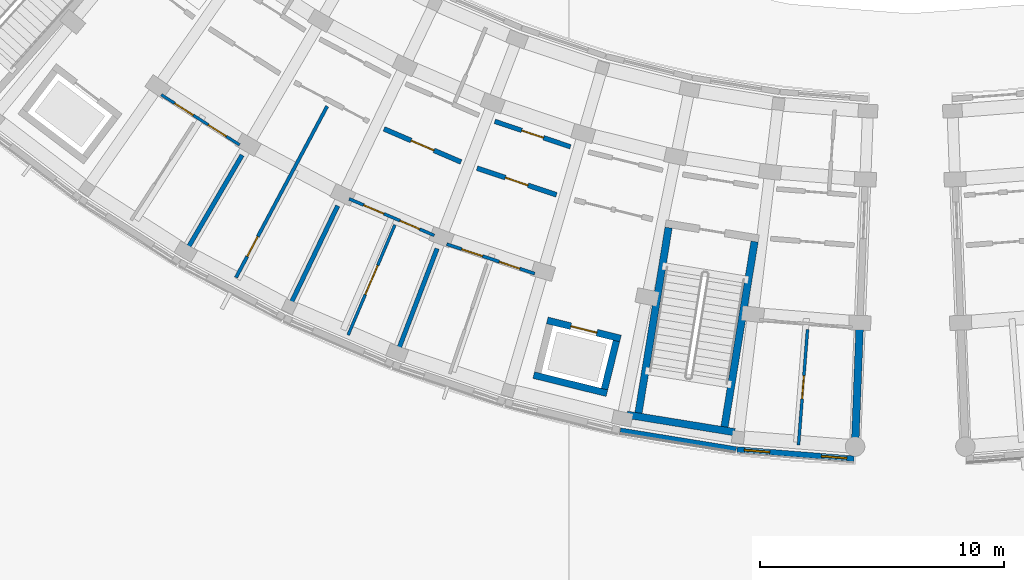
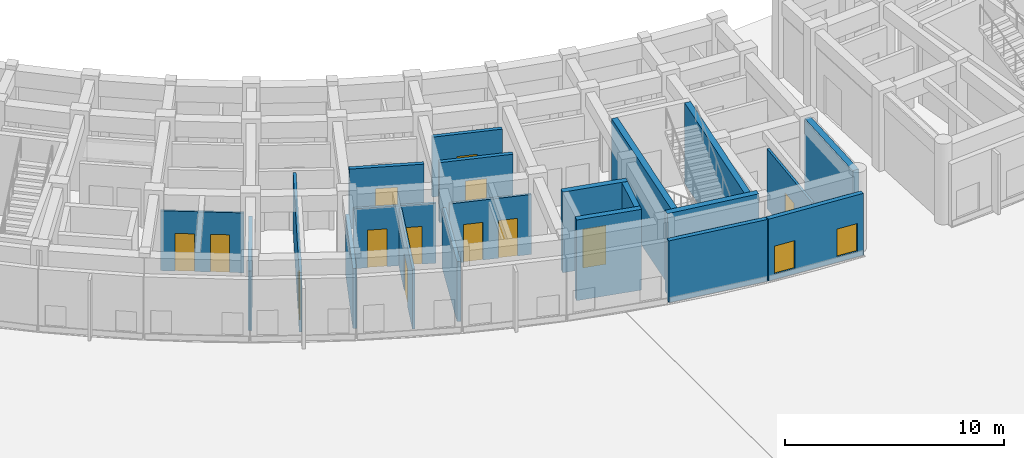
# One storey, part 29 of 61: 21 walls, 13 doors, 2 windows, 15 openings.
"""IFC4 building model written with IfcOpenShell, lengths in metres."""

from ifc_helpers import new_model, si_unit, direction, frame, frame_2d, origin, place, context, subcontext, project, spatial, rectangle, extrude, material, layer, layer_set, type_object, element, fill, save


model = new_model("IFC4")

# Units and contexts
model_context = context("Model", 3, precision=1e-05, world=origin(), true_north=direction((0.0, 1.0)))
body_context = subcontext(model_context, "Body", "Model", "MODEL_VIEW")
ifc_project = project(units=[si_unit("LENGTHUNIT", "METRE"), si_unit("AREAUNIT", "SQUARE_METRE"), si_unit("VOLUMEUNIT", "CUBIC_METRE"), si_unit("PLANEANGLEUNIT", "RADIAN"), si_unit("MASSUNIT", "GRAM", prefix="KILO")], contexts=[model_context])

# Site, building, storey
site_placement = place(None, origin())
site = spatial("IfcSite", under=ifc_project, at=site_placement, CompositionType="ELEMENT")
building_placement = place(site_placement, origin())
building = spatial("IfcBuilding", under=site, at=building_placement, Name="Zimvara Arc Housing Community", CompositionType="ELEMENT")
storey_placement = place(building_placement, origin())
storey = spatial("IfcBuildingStorey", under=building, at=storey_placement, Name="L00", CompositionType="ELEMENT", Elevation=0.0)

# Wall
ifc_material_1 = material(Name="Board-Marked Fair-Faced Concrete C35/45", Category="concrete")
ifc_layer_1 = layer(ifc_material_1, 0.219970703125)
ifc_layer_set_1 = layer_set([ifc_layer_1], Name="Board-Marked Fair-Faced Concrete C35/45")
wall_type_1 = type_object("IfcWallType", Name="EWL-CONC-220", PredefinedType="SOLIDWALL", material=ifc_layer_set_1)
wall_1_placement = place(storey_placement, frame((114.100341796875, 51.681396484375, 0.0), z_axis=(0.0, 0.0, 1.0), x_axis=(0.987080750493, -0.160223568819, 0.0)))
element("IfcWall", 1, at=wall_1_placement, inside=storey, type_object=wall_type_1, Name="ewall:blkC:L00:out:b8", PredefinedType="SOLIDWALL", context=body_context, shape_type="SweptSolid", body=[
    extrude(rectangle(XDim=4.808837890625, YDim=0.219970703125, at=frame_2d((2.404296875, 0.0))), origin(), (0.0, 0.0, 1.0), 3.449951171875),
])

# Wall, openings, windows
ifc_material_2 = material(Name="Board-Marked Fair-Faced Concrete C35/45", Category="concrete")
ifc_layer_2 = layer(ifc_material_2, 0.22998046875)
ifc_layer_set_2 = layer_set([ifc_layer_2], Name="Board-Marked Fair-Faced Concrete C35/45")
wall_type_2 = type_object("IfcWallType", Name="EWL-CONC-230", PredefinedType="SOLIDWALL", material=ifc_layer_set_2)
wall_2_placement = place(storey_placement, frame((118.88671875, 50.906005859375, 0.0), z_axis=(0.0, 0.0, 1.0), x_axis=(0.99686304063, -0.079145929942, 0.0)))
wall_2 = element("IfcWall", 2, at=wall_2_placement, inside=storey, type_object=wall_type_2, Name="ewall:blkC:L00:out:b9", PredefinedType="SOLIDWALL", context=body_context, shape_type="SweptSolid", body=[
    extrude(rectangle(XDim=4.80908203125, YDim=0.22998046875, at=frame_2d((2.404541015625, 0.0))), origin(), (0.0, 0.0, 1.0), 3.449951171875),
])
opening_1_placement = place(wall_2_placement, frame((0.300048828125, 0.0, 0.300048828125)))
opening_1 = element("IfcOpeningElement", 3, at=opening_1_placement, cuts=wall_2, Name="Opening W32", PredefinedType="OPENING", context=body_context, shape_type="SweptSolid", body=[
    extrude(rectangle(XDim=1.0400390625, YDim=1.56005859375, at=frame_2d((0.52001953125, 0.780029296875))), frame((0.0, 0.125, 0.0), z_axis=(0.0, -1.0, 0.0), x_axis=(1.0, 0.0, 0.0)), (0.0, 0.0, 1.0), 0.25),
])
opening_2_placement = place(wall_2_placement, frame((3.468994140625, 0.0, 0.300048828125)))
opening_2 = element("IfcOpeningElement", 4, at=opening_2_placement, cuts=wall_2, Name="Opening W32", PredefinedType="OPENING", context=body_context, shape_type="SweptSolid", body=[
    extrude(rectangle(XDim=1.0400390625, YDim=1.56005859375, at=frame_2d((0.52001953125, 0.780029296875))), frame((0.0, 0.125, 0.0), z_axis=(0.0, -1.0, 0.0), x_axis=(1.0, 0.0, 0.0)), (0.0, 0.0, 1.0), 0.25),
])
ifc_material_3 = material(Name="Solar Control Low-E Double Glazing", Category="glass")
window_type = type_object("IfcWindowType", Name="WIN-MOD-1040x1560", PartitioningType="DOUBLE_PANEL_VERTICAL", PredefinedType="WINDOW", material=ifc_material_3)
window_1_placement = place(opening_1_placement, origin())
window_1 = element("IfcWindow", 5, at=window_1_placement, inside=storey, type_object=window_type, Name="win:blkC:L00:out:b9:1", OverallHeight=1.56005859375, OverallWidth=1.0400390625, PartitioningType="DOUBLE_PANEL_VERTICAL", PredefinedType="WINDOW", context=body_context, shape_type="SweptSolid", body=[
    extrude(rectangle(XDim=1.0400390625, YDim=1.56005859375, at=frame_2d((0.52001953125, 0.780029296875))), frame((0.0, 0.030029296875, 0.0), z_axis=(0.0, -1.0, 0.0), x_axis=(1.0, 0.0, 0.0)), (0.0, 0.0, 1.0), 0.06005859375),
])
fill(opening_1, window_1)
window_2_placement = place(opening_2_placement, origin())
window_2 = element("IfcWindow", 6, at=window_2_placement, inside=storey, type_object=window_type, Name="win:blkC:L00:out:b9:2", OverallHeight=1.56005859375, OverallWidth=1.0400390625, PartitioningType="DOUBLE_PANEL_VERTICAL", PredefinedType="WINDOW", context=body_context, shape_type="SweptSolid", body=[
    extrude(rectangle(XDim=1.0400390625, YDim=1.56005859375, at=frame_2d((0.52001953125, 0.780029296875))), frame((0.0, 0.030029296875, 0.0), z_axis=(0.0, -1.0, 0.0), x_axis=(1.0, 0.0, 0.0)), (0.0, 0.0, 1.0), 0.06005859375),
])
fill(opening_2, window_2)

# Wall, opening, door
ifc_material_4 = material(Name="Concrete C35/45", Category="concrete")
ifc_layer_3 = layer(ifc_material_4, 0.18994140625)
ifc_layer_set_3 = layer_set([ifc_layer_3], Name="Concrete C35/45")
wall_type_3 = type_object("IfcWallType", Name="IWL-CORR-190", PredefinedType="SOLIDWALL", material=ifc_layer_set_3)
wall_3_placement = place(storey_placement, frame((108.95849609375, 64.352294921875, 0.0), z_axis=(0.0, 0.0, 1.0), x_axis=(0.94787351033, -0.318646839643, 0.0)))
wall_3 = element("IfcWall", 7, at=wall_3_placement, inside=storey, type_object=wall_type_3, Name="iwall:blkC:L00:corr_in:b6", PredefinedType="SOLIDWALL", context=body_context, shape_type="SweptSolid", body=[
    extrude(rectangle(XDim=3.2685546875, YDim=0.18994140625, at=frame_2d((1.63427734375, 0.0))), origin(), (0.0, 0.0, 1.0), 3.340087890625),
])
opening_3_placement = place(wall_3_placement, frame((1.164306640625, 0.0, 0.0)))
opening_3 = element("IfcOpeningElement", 8, at=opening_3_placement, cuts=wall_3, Name="Opening D03", PredefinedType="OPENING", context=body_context, shape_type="SweptSolid", body=[
    extrude(rectangle(XDim=0.93994140625, YDim=2.10009765625, at=frame_2d((0.469970703125, 1.050048828125))), frame((0.0, 0.10498046875, 0.0), z_axis=(0.0, -1.0, 0.0), x_axis=(1.0, 0.0, 0.0)), (0.0, 0.0, 1.0), 0.2099609375),
])
ifc_material_5 = material(Name="Mozambican Hardwood", Category="wood")
door_type_1 = type_object("IfcDoorType", Name="IDR-RM-0940x2100", OperationType="NOTDEFINED", PredefinedType="DOOR", material=ifc_material_5)
door_1_placement = place(opening_3_placement, origin())
door_1 = element("IfcDoor", 9, at=door_1_placement, inside=storey, type_object=door_type_1, Name="idoor:blkC:L00:in_rm:b6", OperationType="SINGLE_SWING_LEFT", OverallHeight=2.10009765625, OverallWidth=0.93994140625, PredefinedType="DOOR", context=body_context, shape_type="SweptSolid", body=[
    extrude(rectangle(XDim=0.93994140625, YDim=2.10009765625, at=frame_2d((0.469970703125, 1.050048828125))), frame((0.0, 0.02490234375, 0.0), z_axis=(0.0, -1.0, 0.0), x_axis=(1.0, 0.0, 0.0)), (0.0, 0.0, 1.0), 0.050048828125),
])
fill(opening_3, door_1)

ifc_material_6 = material(Name="Concrete C35/45", Category="concrete")
ifc_layer_4 = layer(ifc_material_6, 0.199951171875)
ifc_layer_set_4 = layer_set([ifc_layer_4], Name="Concrete C35/45")
wall_type_4 = type_object("IfcWallType", Name="IWL-CORR-200", PredefinedType="SOLIDWALL", material=ifc_layer_set_4)
wall_4_placement = place(storey_placement, frame((104.41650390625, 64.0439453125, 0.0), z_axis=(0.0, 0.0, 1.0), x_axis=(0.918718172399, -0.394913813008, 0.0)))
wall_4 = element("IfcWall", 10, at=wall_4_placement, inside=storey, type_object=wall_type_4, Name="iwall:blkC:L00:corr_out:b5", PredefinedType="SOLIDWALL", context=body_context, shape_type="SweptSolid", body=[
    extrude(rectangle(XDim=3.43603515625, YDim=0.199951171875, at=frame_2d((1.718017578125, 0.0))), origin(), (0.0, 0.0, 1.0), 3.340087890625),
])
opening_4_placement = place(wall_4_placement, frame((1.2080078125, 0.0, 0.0)))
opening_4 = element("IfcOpeningElement", 11, at=opening_4_placement, cuts=wall_4, Name="Opening FD-FL2", PredefinedType="OPENING", context=body_context, shape_type="SweptSolid", body=[
    extrude(rectangle(XDim=1.02001953125, YDim=2.14990234375, at=frame_2d((0.510009765625, 1.074951171875))), frame((0.0, 0.10986328125, 0.0), z_axis=(0.0, -1.0, 0.0), x_axis=(1.0, 0.0, 0.0)), (0.0, 0.0, 1.0), 0.219970703125),
])
ifc_material_7 = material(Name="Mozambican Hardwood", Category="wood")
door_type_2 = type_object("IfcDoorType", Name="IDR-FLAT-1020x2150", OperationType="NOTDEFINED", PredefinedType="DOOR", material=ifc_material_7)
door_2_placement = place(opening_4_placement, origin())
door_2 = element("IfcDoor", 12, at=door_2_placement, inside=storey, type_object=door_type_2, Name="idoor:blkC:L00:flat:b5", OperationType="SINGLE_SWING_RIGHT", OverallHeight=2.14990234375, OverallWidth=1.02001953125, PredefinedType="DOOR", context=body_context, shape_type="SweptSolid", body=[
    extrude(rectangle(XDim=1.02001953125, YDim=2.14990234375, at=frame_2d((0.510009765625, 1.074951171875))), frame((0.0, 0.02490234375, 0.0), z_axis=(0.0, -1.0, 0.0), x_axis=(1.0, 0.0, 0.0)), (0.0, 0.0, 1.0), 0.050048828125),
])
fill(opening_4, door_2)

wall_5_placement = place(storey_placement, frame((108.2265625, 62.437255859375, 0.0), z_axis=(0.0, 0.0, 1.0), x_axis=(0.947884468821, -0.318614239745, 0.0)))
wall_5 = element("IfcWall", 13, at=wall_5_placement, inside=storey, type_object=wall_type_4, Name="iwall:blkC:L00:corr_out:b6", PredefinedType="SOLIDWALL", context=body_context, shape_type="SweptSolid", body=[
    extrude(rectangle(XDim=3.435791015625, YDim=0.199951171875, at=frame_2d((1.7177734375, 0.0))), origin(), (0.0, 0.0, 1.0), 3.340087890625),
])
opening_5_placement = place(wall_5_placement, frame((1.22802734375, 0.0, 0.0)))
opening_5 = element("IfcOpeningElement", 14, at=opening_5_placement, cuts=wall_5, Name="Opening FD-FL1", PredefinedType="OPENING", context=body_context, shape_type="SweptSolid", body=[
    extrude(rectangle(XDim=0.97998046875, YDim=2.14990234375, at=frame_2d((0.489990234375, 1.074951171875))), frame((0.0, 0.10986328125, 0.0), z_axis=(0.0, -1.0, 0.0), x_axis=(1.0, 0.0, 0.0)), (0.0, 0.0, 1.0), 0.219970703125),
])
ifc_material_8 = material(Name="Mozambican Hardwood", Category="wood")
door_type_3 = type_object("IfcDoorType", Name="IDR-FLAT-0980x2150", OperationType="NOTDEFINED", PredefinedType="DOOR", material=ifc_material_8)
door_3_placement = place(opening_5_placement, origin())
door_3 = element("IfcDoor", 15, at=door_3_placement, inside=storey, type_object=door_type_3, Name="idoor:blkC:L00:flat:b6", OperationType="SINGLE_SWING_RIGHT", OverallHeight=2.14990234375, OverallWidth=0.97998046875, PredefinedType="DOOR", context=body_context, shape_type="SweptSolid", body=[
    extrude(rectangle(XDim=0.97998046875, YDim=2.14990234375, at=frame_2d((0.489990234375, 1.074951171875))), frame((0.0, 0.02490234375, 0.0), z_axis=(0.0, -1.0, 0.0), x_axis=(1.0, 0.0, 0.0)), (0.0, 0.0, 1.0), 0.050048828125),
])
fill(opening_5, door_3)

# Walls
ifc_material_9 = material(Name="Concrete C35/45", Category="concrete")
ifc_layer_5 = layer(ifc_material_9, 0.18505859375)
ifc_layer_set_5 = layer_set([ifc_layer_5], Name="Concrete C35/45")
wall_type_5 = type_object("IfcWallType", Name="IWL-FLAT-185", PredefinedType="SOLIDWALL", material=ifc_layer_set_5)
wall_6_placement = place(storey_placement, frame((98.6005859375, 62.968017578125, 0.0), z_axis=(0.0, 0.0, 1.0), x_axis=(-0.504216452091, -0.863577309475, 0.0)))
element("IfcWall", 16, at=wall_6_placement, inside=storey, type_object=wall_type_5, Name="iwall:blkC:L00:party:b4", PredefinedType="SOLIDWALL", context=body_context, shape_type="SweptSolid", body=[
    extrude(rectangle(XDim=4.35009765625, YDim=0.18505859375, at=frame_2d((2.175048828125, 0.0))), origin(), (0.0, 0.0, 1.0), 3.340087890625),
])
wall_7_placement = place(storey_placement, frame((102.517822265625, 60.890380859375, 0.0), z_axis=(0.0, 0.0, 1.0), x_axis=(-0.432108769108, -0.901821496561, 0.0)))
element("IfcWall", 17, at=wall_7_placement, inside=storey, type_object=wall_type_5, Name="iwall:blkC:L00:party:b5", PredefinedType="SOLIDWALL", context=body_context, shape_type="SweptSolid", body=[
    extrude(rectangle(XDim=4.349853515625, YDim=0.18505859375, at=frame_2d((2.1748046875, 0.0))), origin(), (0.0, 0.0, 1.0), 3.340087890625),
])
wall_8_placement = place(storey_placement, frame((106.59130859375, 59.139404296875, 0.0), z_axis=(0.0, 0.0, 1.0), x_axis=(-0.357064016205, -0.934079915388, 0.0)))
element("IfcWall", 18, at=wall_8_placement, inside=storey, type_object=wall_type_5, Name="iwall:blkC:L00:party:b6", PredefinedType="SOLIDWALL", context=body_context, shape_type="SweptSolid", body=[
    extrude(rectangle(XDim=4.35009765625, YDim=0.18505859375, at=frame_2d((2.175048828125, 0.0))), origin(), (0.0, 0.0, 1.0), 3.340087890625),
])

# Wall, openings, doors
ifc_material_10 = material(Name="Painted Acoustic Plasterboard")
ifc_layer_6 = layer(ifc_material_10, 0.114990234375)
ifc_layer_set_6 = layer_set([ifc_layer_6], Name="Painted Acoustic Plasterboard")
wall_type_6 = type_object("IfcWallType", Name="IWL-PART-115", PredefinedType="PARTITIONING", material=ifc_layer_set_6)
wall_9_placement = place(storey_placement, frame((95.29052734375, 65.4423828125, 0.0), z_axis=(0.0, 0.0, 1.0), x_axis=(0.842267908806, -0.539059152409, 0.0)))
wall_9 = element("IfcWall", 19, at=wall_9_placement, inside=storey, type_object=wall_type_6, Name="iwall:blkC:L00:srv:b3", PredefinedType="PARTITIONING", context=body_context, shape_type="SweptSolid", body=[
    extrude(rectangle(XDim=3.809326171875, YDim=0.114990234375, at=frame_2d((1.90478515625, 0.0))), origin(), (0.0, 0.0, 1.0), 3.340087890625),
])
opening_6_placement = place(wall_9_placement, frame((0.64990234375, 0.0, 0.0)))
opening_6 = element("IfcOpeningElement", 20, at=opening_6_placement, cuts=wall_9, Name="Opening D01", PredefinedType="OPENING", context=body_context, shape_type="SweptSolid", body=[
    extrude(rectangle(XDim=0.89990234375, YDim=2.10009765625, at=frame_2d((0.449951171875, 1.050048828125))), frame((0.0, 0.0673828125, 0.0), z_axis=(0.0, -1.0, 0.0), x_axis=(1.0, 0.0, 0.0)), (0.0, 0.0, 1.0), 0.135009765625),
])
opening_7_placement = place(wall_9_placement, frame((2.279541015625, 0.0, 0.0)))
opening_7 = element("IfcOpeningElement", 21, at=opening_7_placement, cuts=wall_9, Name="Opening D05", PredefinedType="OPENING", context=body_context, shape_type="SweptSolid", body=[
    extrude(rectangle(XDim=0.8798828125, YDim=2.10009765625, at=frame_2d((0.43994140625, 1.050048828125))), frame((0.0, 0.0673828125, 0.0), z_axis=(0.0, -1.0, 0.0), x_axis=(1.0, 0.0, 0.0)), (0.0, 0.0, 1.0), 0.135009765625),
])
ifc_material_11 = material(Name="Mozambican Hardwood", Category="wood")
door_type_4 = type_object("IfcDoorType", Name="IDR-RM-0900x2100", OperationType="NOTDEFINED", PredefinedType="DOOR", material=ifc_material_11)
door_4_placement = place(opening_6_placement, origin())
door_4 = element("IfcDoor", 22, at=door_4_placement, inside=storey, type_object=door_type_4, Name="idoor:blkC:L00:kit_liv:b3", OperationType="SINGLE_SWING_LEFT", OverallHeight=2.10009765625, OverallWidth=0.89990234375, PredefinedType="DOOR", context=body_context, shape_type="SweptSolid", body=[
    extrude(rectangle(XDim=0.89990234375, YDim=2.10009765625, at=frame_2d((0.449951171875, 1.050048828125))), frame((0.0, 0.02490234375, 0.0), z_axis=(0.0, -1.0, 0.0), x_axis=(1.0, 0.0, 0.0)), (0.0, 0.0, 1.0), 0.050048828125),
])
fill(opening_6, door_4)
ifc_material_12 = material(Name="Mozambican Hardwood", Category="wood")
door_type_5 = type_object("IfcDoorType", Name="IDR-WC-0880x2100", OperationType="NOTDEFINED", PredefinedType="DOOR", material=ifc_material_12)
door_5_placement = place(opening_7_placement, origin())
door_5 = element("IfcDoor", 23, at=door_5_placement, inside=storey, type_object=door_type_5, Name="idoor:blkC:L00:bath_d:b3", OperationType="SINGLE_SWING_RIGHT", OverallHeight=2.10009765625, OverallWidth=0.8798828125, PredefinedType="DOOR", context=body_context, shape_type="SweptSolid", body=[
    extrude(rectangle(XDim=0.8798828125, YDim=2.10009765625, at=frame_2d((0.43994140625, 1.050048828125))), frame((0.0, 0.02490234375, 0.0), z_axis=(0.0, -1.0, 0.0), x_axis=(1.0, 0.0, 0.0)), (0.0, 0.0, 1.0), 0.050048828125),
])
fill(opening_7, door_5)

# Wall, opening, door
ifc_material_13 = material(Name="Painted Acoustic Plasterboard")
ifc_layer_7 = layer(ifc_material_13, 0.1201171875)
ifc_layer_set_7 = layer_set([ifc_layer_7], Name="Painted Acoustic Plasterboard")
wall_type_7 = type_object("IfcWallType", Name="IWL-PART-120", PredefinedType="PARTITIONING", material=ifc_layer_set_7)
wall_10_placement = place(storey_placement, frame((104.8603515625, 60.10693359375, 0.0), z_axis=(0.0, 0.0, 1.0), x_axis=(-0.390783996242, -0.920482410631, 0.0)))
wall_10 = element("IfcWall", 24, at=wall_10_placement, inside=storey, type_object=wall_type_7, Name="iwall:blkC:L00:bed_div:b5", PredefinedType="PARTITIONING", context=body_context, shape_type="SweptSolid", body=[
    extrude(rectangle(XDim=4.89990234375, YDim=0.1201171875, at=frame_2d((2.449951171875, 0.0))), origin(), (0.0, 0.0, 1.0), 3.340087890625),
])
opening_8_placement = place(wall_10_placement, frame((1.800048828125, 0.0, 0.0)))
opening_8 = element("IfcOpeningElement", 25, at=opening_8_placement, cuts=wall_10, Name="Opening D20", PredefinedType="OPENING", context=body_context, shape_type="SweptSolid", body=[
    extrude(rectangle(XDim=1.300048828125, YDim=2.10009765625, at=frame_2d((0.64990234375, 1.050048828125))), frame((0.0, 0.070068359375, 0.0), z_axis=(0.0, -1.0, 0.0), x_axis=(1.0, 0.0, 0.0)), (0.0, 0.0, 1.0), 0.14013671875),
])
ifc_material_14 = material(Name="Mozambican Hardwood", Category="wood")
door_type_6 = type_object("IfcDoorType", Name="IDR-MOD-1300x2240", OperationType="NOTDEFINED", PredefinedType="DOOR", material=ifc_material_14)
door_6_placement = place(opening_8_placement, origin())
door_6 = element("IfcDoor", 26, at=door_6_placement, inside=storey, type_object=door_type_6, Name="idoor:blkC:L00:bed_d:b5", OperationType="SINGLE_SWING_LEFT", OverallHeight=2.10009765625, OverallWidth=1.300048828125, PredefinedType="DOOR", context=body_context, shape_type="SweptSolid", body=[
    extrude(rectangle(XDim=1.300048828125, YDim=2.10009765625, at=frame_2d((0.64990234375, 1.050048828125))), frame((0.0, 0.02490234375, 0.0), z_axis=(0.0, -1.0, 0.0), x_axis=(1.0, 0.0, 0.0)), (0.0, 0.0, 1.0), 0.050048828125),
])
fill(opening_8, door_6)

wall_11_placement = place(storey_placement, frame((121.771240234375, 55.82373046875, 0.0), z_axis=(0.0, 0.0, 1.0), x_axis=(-0.077659382624, -0.996979949794, 0.0)))
wall_11 = element("IfcWall", 27, at=wall_11_placement, inside=storey, type_object=wall_type_7, Name="iwall:blkC:L00:bed_div:b9", PredefinedType="PARTITIONING", context=body_context, shape_type="SweptSolid", body=[
    extrude(rectangle(XDim=4.750244140625, YDim=0.1201171875, at=frame_2d((2.375, 0.0))), origin(), (0.0, 0.0, 1.0), 3.340087890625),
])
opening_9_placement = place(wall_11_placement, frame((1.89501953125, 0.0, 0.0)))
opening_9 = element("IfcOpeningElement", 28, at=opening_9_placement, cuts=wall_11, Name="Opening D04", PredefinedType="OPENING", context=body_context, shape_type="SweptSolid", body=[
    extrude(rectangle(XDim=0.9599609375, YDim=2.10009765625, at=frame_2d((0.47998046875, 1.050048828125))), frame((0.0, 0.070068359375, 0.0), z_axis=(0.0, -1.0, 0.0), x_axis=(1.0, 0.0, 0.0)), (0.0, 0.0, 1.0), 0.14013671875),
])
ifc_material_15 = material(Name="Mozambican Hardwood", Category="wood")
door_type_7 = type_object("IfcDoorType", Name="IDR-RM-0960x2100", OperationType="NOTDEFINED", PredefinedType="DOOR", material=ifc_material_15)
door_7_placement = place(opening_9_placement, origin())
door_7 = element("IfcDoor", 29, at=door_7_placement, inside=storey, type_object=door_type_7, Name="idoor:blkC:L00:bed_d:b9", OperationType="SINGLE_SWING_RIGHT", OverallHeight=2.10009765625, OverallWidth=0.9599609375, PredefinedType="DOOR", context=body_context, shape_type="SweptSolid", body=[
    extrude(rectangle(XDim=0.9599609375, YDim=2.10009765625, at=frame_2d((0.47998046875, 1.050048828125))), frame((0.0, 0.02490234375, 0.0), z_axis=(0.0, -1.0, 0.0), x_axis=(1.0, 0.0, 0.0)), (0.0, 0.0, 1.0), 0.050048828125),
])
fill(opening_9, door_7)

# Wall, openings, doors
ifc_material_16 = material(Name="Painted Acoustic Plasterboard")
ifc_layer_8 = layer(ifc_material_16, 0.125)
ifc_layer_set_8 = layer_set([ifc_layer_8], Name="Painted Acoustic Plasterboard")
wall_type_8 = type_object("IfcWallType", Name="IWL-PART-125", PredefinedType="PARTITIONING", material=ifc_layer_set_8)
wall_12_placement = place(storey_placement, frame((102.98779296875, 61.177734375, 0.0), z_axis=(0.0, 0.0, 1.0), x_axis=(0.918732171064, -0.394881245253, 0.0)))
wall_12 = element("IfcWall", 30, at=wall_12_placement, inside=storey, type_object=wall_type_8, Name="iwall:blkC:L00:srv:b5", PredefinedType="PARTITIONING", context=body_context, shape_type="SweptSolid", body=[
    extrude(rectangle(XDim=3.79736328125, YDim=0.125, at=frame_2d((1.898681640625, 0.0))), origin(), (0.0, 0.0, 1.0), 3.340087890625),
])
opening_10_placement = place(wall_12_placement, frame((0.64990234375, 0.0, 0.0)))
opening_10 = element("IfcOpeningElement", 31, at=opening_10_placement, cuts=wall_12, Name="Opening D01", PredefinedType="OPENING", context=body_context, shape_type="SweptSolid", body=[
    extrude(rectangle(XDim=0.89990234375, YDim=2.10009765625, at=frame_2d((0.449951171875, 1.050048828125))), frame((0.0, 0.072509765625, 0.0), z_axis=(0.0, -1.0, 0.0), x_axis=(1.0, 0.0, 0.0)), (0.0, 0.0, 1.0), 0.14501953125),
])
opening_11_placement = place(wall_12_placement, frame((2.267333984375, 0.0, 0.0)))
opening_11 = element("IfcOpeningElement", 32, at=opening_11_placement, cuts=wall_12, Name="Opening D05", PredefinedType="OPENING", context=body_context, shape_type="SweptSolid", body=[
    extrude(rectangle(XDim=0.8798828125, YDim=2.10009765625, at=frame_2d((0.43994140625, 1.050048828125))), frame((0.0, 0.072509765625, 0.0), z_axis=(0.0, -1.0, 0.0), x_axis=(1.0, 0.0, 0.0)), (0.0, 0.0, 1.0), 0.14501953125),
])
door_8_placement = place(opening_10_placement, origin())
door_8 = element("IfcDoor", 33, at=door_8_placement, inside=storey, type_object=door_type_4, Name="idoor:blkC:L00:kit_liv:b5", OperationType="SINGLE_SWING_LEFT", OverallHeight=2.10009765625, OverallWidth=0.89990234375, PredefinedType="DOOR", context=body_context, shape_type="SweptSolid", body=[
    extrude(rectangle(XDim=0.89990234375, YDim=2.10009765625, at=frame_2d((0.449951171875, 1.050048828125))), frame((0.0, 0.02490234375, 0.0), z_axis=(0.0, -1.0, 0.0), x_axis=(1.0, 0.0, 0.0)), (0.0, 0.0, 1.0), 0.050048828125),
])
fill(opening_10, door_8)
door_9_placement = place(opening_11_placement, origin())
door_9 = element("IfcDoor", 34, at=door_9_placement, inside=storey, type_object=door_type_5, Name="idoor:blkC:L00:bath_d:b5", OperationType="SINGLE_SWING_RIGHT", OverallHeight=2.10009765625, OverallWidth=0.8798828125, PredefinedType="DOOR", context=body_context, shape_type="SweptSolid", body=[
    extrude(rectangle(XDim=0.8798828125, YDim=2.10009765625, at=frame_2d((0.43994140625, 1.050048828125))), frame((0.0, 0.02490234375, 0.0), z_axis=(0.0, -1.0, 0.0), x_axis=(1.0, 0.0, 0.0)), (0.0, 0.0, 1.0), 0.050048828125),
])
fill(opening_11, door_9)

ifc_material_17 = material(Name="Painted Acoustic Plasterboard")
ifc_layer_9 = layer(ifc_material_17, 0.1298828125)
ifc_layer_set_9 = layer_set([ifc_layer_9], Name="Painted Acoustic Plasterboard")
wall_type_9 = type_object("IfcWallType", Name="IWL-PART-130", PredefinedType="PARTITIONING", material=ifc_layer_set_9)
wall_13_placement = place(storey_placement, frame((106.98291015625, 59.32421875, 0.0), z_axis=(0.0, 0.0, 1.0), x_axis=(0.947879193428, -0.318629933725, 0.0)))
wall_13 = element("IfcWall", 35, at=wall_13_placement, inside=storey, type_object=wall_type_9, Name="iwall:blkC:L00:srv:b6", PredefinedType="PARTITIONING", context=body_context, shape_type="SweptSolid", body=[
    extrude(rectangle(XDim=3.8095703125, YDim=0.1298828125, at=frame_2d((1.90478515625, 0.0))), origin(), (0.0, 0.0, 1.0), 3.340087890625),
])
opening_12_placement = place(wall_13_placement, frame((0.64990234375, 0.0, 0.0)))
opening_12 = element("IfcOpeningElement", 36, at=opening_12_placement, cuts=wall_13, Name="Opening D01", PredefinedType="OPENING", context=body_context, shape_type="SweptSolid", body=[
    extrude(rectangle(XDim=0.89990234375, YDim=2.10009765625, at=frame_2d((0.449951171875, 1.050048828125))), frame((0.0, 0.074951171875, 0.0), z_axis=(0.0, -1.0, 0.0), x_axis=(1.0, 0.0, 0.0)), (0.0, 0.0, 1.0), 0.14990234375),
])
opening_13_placement = place(wall_13_placement, frame((2.279541015625, 0.0, 0.0)))
opening_13 = element("IfcOpeningElement", 37, at=opening_13_placement, cuts=wall_13, Name="Opening D05", PredefinedType="OPENING", context=body_context, shape_type="SweptSolid", body=[
    extrude(rectangle(XDim=0.8798828125, YDim=2.10009765625, at=frame_2d((0.43994140625, 1.050048828125))), frame((0.0, 0.074951171875, 0.0), z_axis=(0.0, -1.0, 0.0), x_axis=(1.0, 0.0, 0.0)), (0.0, 0.0, 1.0), 0.14990234375),
])
door_10_placement = place(opening_12_placement, origin())
door_10 = element("IfcDoor", 38, at=door_10_placement, inside=storey, type_object=door_type_4, Name="idoor:blkC:L00:kit_liv:b6", OperationType="SINGLE_SWING_RIGHT", OverallHeight=2.10009765625, OverallWidth=0.89990234375, PredefinedType="DOOR", context=body_context, shape_type="SweptSolid", body=[
    extrude(rectangle(XDim=0.89990234375, YDim=2.10009765625, at=frame_2d((0.449951171875, 1.050048828125))), frame((0.0, 0.02490234375, 0.0), z_axis=(0.0, -1.0, 0.0), x_axis=(1.0, 0.0, 0.0)), (0.0, 0.0, 1.0), 0.050048828125),
])
fill(opening_12, door_10)
door_11_placement = place(opening_13_placement, origin())
door_11 = element("IfcDoor", 39, at=door_11_placement, inside=storey, type_object=door_type_5, Name="idoor:blkC:L00:bath_d:b6", OperationType="SINGLE_SWING_LEFT", OverallHeight=2.10009765625, OverallWidth=0.8798828125, PredefinedType="DOOR", context=body_context, shape_type="SweptSolid", body=[
    extrude(rectangle(XDim=0.8798828125, YDim=2.10009765625, at=frame_2d((0.43994140625, 1.050048828125))), frame((0.0, 0.02490234375, 0.0), z_axis=(0.0, -1.0, 0.0), x_axis=(1.0, 0.0, 0.0)), (0.0, 0.0, 1.0), 0.050048828125),
])
fill(opening_13, door_11)

# Wall, opening, door
ifc_material_18 = material(Name="Painted Acoustic Plasterboard")
ifc_layer_10 = layer(ifc_material_18, 0.139892578125)
ifc_layer_set_10 = layer_set([ifc_layer_10], Name="Painted Acoustic Plasterboard")
wall_type_10 = type_object("IfcWallType", Name="IWL-PART-140", PredefinedType="PARTITIONING", material=ifc_layer_set_10)
wall_14_placement = place(storey_placement, frame((102.086669921875, 64.97314453125, 0.0), z_axis=(0.0, 0.0, 1.0), x_axis=(-0.469878800394, -0.882730940287, 0.0)))
wall_14 = element("IfcWall", 40, at=wall_14_placement, inside=storey, type_object=wall_type_10, Name="iwall:blkC:L00:amen_div:b4", PredefinedType="PARTITIONING", context=body_context, shape_type="SweptSolid", body=[
    extrude(rectangle(XDim=7.9501953125, YDim=0.139892578125, at=frame_2d((3.97509765625, 0.0))), origin(), (0.0, 0.0, 1.0), 3.340087890625),
])
opening_14_placement = place(wall_14_placement, frame((6.050048828125, 0.0, 0.0)))
opening_14 = element("IfcOpeningElement", 41, at=opening_14_placement, cuts=wall_14, Name="Opening D02", PredefinedType="OPENING", context=body_context, shape_type="SweptSolid", body=[
    extrude(rectangle(XDim=0.919921875, YDim=2.10009765625, at=frame_2d((0.4599609375, 1.050048828125))), frame((0.0, 0.079833984375, 0.0), z_axis=(0.0, -1.0, 0.0), x_axis=(1.0, 0.0, 0.0)), (0.0, 0.0, 1.0), 0.159912109375),
])
ifc_material_19 = material(Name="Mozambican Hardwood", Category="wood")
door_type_8 = type_object("IfcDoorType", Name="IDR-RM-0920x2100", OperationType="NOTDEFINED", PredefinedType="DOOR", material=ifc_material_19)
door_12_placement = place(opening_14_placement, origin())
door_12 = element("IfcDoor", 42, at=door_12_placement, inside=storey, type_object=door_type_8, Name="idoor:blkC:L00:laund_d:b4", OperationType="SINGLE_SWING_LEFT", OverallHeight=2.10009765625, OverallWidth=0.919921875, PredefinedType="DOOR", context=body_context, shape_type="SweptSolid", body=[
    extrude(rectangle(XDim=0.919921875, YDim=2.10009765625, at=frame_2d((0.4599609375, 1.050048828125))), frame((0.0, 0.02490234375, 0.0), z_axis=(0.0, -1.0, 0.0), x_axis=(1.0, 0.0, 0.0)), (0.0, 0.0, 1.0), 0.050048828125),
])
fill(opening_14, door_12)

ifc_material_20 = material(Name="Concrete C40/50", Category="concrete")
ifc_layer_11 = layer(ifc_material_20, 0.280029296875)
ifc_layer_set_11 = layer_set([ifc_layer_11], Name="Concrete C40/50")
wall_type_11 = type_object("IfcWallType", Name="WL-CORE-280", PredefinedType="SHEAR", material=ifc_layer_set_11)
wall_15_placement = place(storey_placement, frame((111.10791015625, 56.1962890625, 0.0), z_axis=(0.0, 0.0, 1.0), x_axis=(0.970706856107, -0.240266933861, 0.0)))
wall_15 = element("IfcWall", 43, at=wall_15_placement, inside=storey, type_object=wall_type_11, Name="lwall:LP-C2:L00:front", PredefinedType="SHEAR", context=body_context, shape_type="SweptSolid", body=[
    extrude(rectangle(XDim=3.090087890625, YDim=0.280029296875, at=frame_2d((1.544921875, 0.0))), origin(), (0.0, 0.0, 1.0), 4.5),
])
opening_15_placement = place(wall_15_placement, frame((0.9951171875, 0.0, 0.0)))
opening_15 = element("IfcOpeningElement", 44, at=opening_15_placement, cuts=wall_15, Name="Opening LD-LP-C2", PredefinedType="OPENING", context=body_context, shape_type="SweptSolid", body=[
    extrude(rectangle(XDim=1.10009765625, YDim=2.14990234375, at=frame_2d((0.550048828125, 1.074951171875))), frame((0.0, 0.14990234375, 0.0), z_axis=(0.0, -1.0, 0.0), x_axis=(1.0, 0.0, 0.0)), (0.0, 0.0, 1.0), 0.300048828125),
])
ifc_material_21 = material(Name="Anodised Aluminium AW-6063", Category="aluminium")
door_type_9 = type_object("IfcDoorType", Name="IDR-LD-1100x2150", OperationType="DOUBLE_DOOR_SLIDING", PredefinedType="DOOR", material=ifc_material_21)
door_13_placement = place(opening_15_placement, origin())
door_13 = element("IfcDoor", 45, at=door_13_placement, inside=storey, type_object=door_type_9, Name="Lift LP-C2 Sliding Landing Door L00", OperationType="DOUBLE_DOOR_SLIDING", OverallHeight=2.14990234375, OverallWidth=1.10009765625, PredefinedType="DOOR", context=body_context, shape_type="SweptSolid", body=[
    extrude(rectangle(XDim=1.10009765625, YDim=2.14990234375, at=frame_2d((0.550048828125, 1.074951171875))), frame((0.0, 0.02490234375, 0.0), z_axis=(0.0, -1.0, 0.0), x_axis=(1.0, 0.0, 0.0)), (0.0, 0.0, 1.0), 0.050048828125),
])
fill(opening_15, door_13)

# Walls
wall_16_placement = place(storey_placement, frame((110.552978515625, 53.953857421875, 0.0), z_axis=(0.0, 0.0, 1.0), x_axis=(0.970725280816, -0.240192483614, 0.0)))
element("IfcWall", 46, at=wall_16_placement, inside=storey, type_object=wall_type_11, Name="lwall:LP-C2:L00:back", PredefinedType="SHEAR", context=body_context, shape_type="SweptSolid", body=[
    extrude(rectangle(XDim=3.090087890625, YDim=0.280029296875, at=frame_2d((1.544921875, 0.0))), origin(), (0.0, 0.0, 1.0), 4.5),
])
wall_17_placement = place(storey_placement, frame((113.93798828125, 55.3515625, 0.0), z_axis=(0.0, 0.0, 1.0), x_axis=(-0.2402993748, -0.970698825832, 0.0)))
element("IfcWall", 47, at=wall_17_placement, inside=storey, type_object=wall_type_11, Name="lwall:LP-C2:L00:right", PredefinedType="SHEAR", context=body_context, shape_type="SweptSolid", body=[
    extrude(rectangle(XDim=2.030029296875, YDim=0.280029296875, at=frame_2d((1.01513671875, 0.0))), origin(), (0.0, 0.0, 1.0), 4.5),
])
ifc_material_22 = material(Name="Concrete C40/50", Category="concrete")
ifc_layer_12 = layer(ifc_material_22, 0.300048828125)
ifc_layer_set_12 = layer_set([ifc_layer_12], Name="Concrete C40/50")
wall_type_12 = type_object("IfcWallType", Name="WL-CORE-300", PredefinedType="SHEAR", material=ifc_layer_set_12)
wall_18_placement = place(storey_placement, frame((114.37744140625, 52.330810546875, 0.0), z_axis=(0.0, 0.0, 1.0), x_axis=(0.987077474317, -0.16024375088, 0.0)))
element("IfcWall", 48, at=wall_18_placement, inside=storey, type_object=wall_type_12, Name="cwall:ST-C2:L00:far", PredefinedType="SHEAR", context=body_context, shape_type="SweptSolid", body=[
    extrude(rectangle(XDim=4.47021484375, YDim=0.300048828125, at=frame_2d((2.235107421875, 0.0))), origin(), (0.0, 0.0, 1.0), 4.5),
])
for number, where, z_axis, x_axis, name in (
    (49, (116.077880859375, 59.997314453125, 0.0), (0.0, 0.0, 1.0), (-0.160232517967, -0.987079297821, 0.0), "cwall:ST-C2:L00:left"),
    (50, (119.6015625, 59.42529296875, 0.0), (0.0, 0.0, 1.0), (-0.160201584773, -0.987084318706, 0.0), "cwall:ST-C2:L00:right"),
):
    element("IfcWall", number, at=place(storey_placement, frame(where, z_axis=z_axis, x_axis=x_axis)), inside=storey, type_object=wall_type_12, Name=name, PredefinedType="SHEAR", context=body_context, shape_type="SweptSolid", body=[
        extrude(rectangle(XDim=7.68994140625, YDim=0.300048828125, at=frame_2d((3.844970703125, 0.0))), origin(), (0.0, 0.0, 1.0), 4.5),
    ])
ifc_material_23 = material(Name="Concrete C40/50", Category="concrete")
ifc_layer_13 = layer(ifc_material_23, 0.31005859375)
ifc_layer_set_13 = layer_set([ifc_layer_13], Name="Concrete C40/50")
wall_type_13 = type_object("IfcWallType", Name="WL-SHEAR-310", PredefinedType="SHEAR", material=ifc_layer_set_13)
wall_19_placement = place(storey_placement, frame((123.90771484375, 55.919677734375, 0.0), z_axis=(0.0, 0.0, 1.0), x_axis=(-0.038381471406, -0.99926315986, 0.0)))
element("IfcWall", 51, at=wall_19_placement, inside=storey, type_object=wall_type_13, Name="swall:blkC:L00:east", PredefinedType="SHEAR", context=body_context, shape_type="SweptSolid", body=[
    extrude(rectangle(XDim=4.7197265625, YDim=0.31005859375, at=frame_2d((2.35986328125, 0.0))), origin(), (0.0, 0.0, 1.0), 4.260009765625),
])

save(model, "model.ifc")
